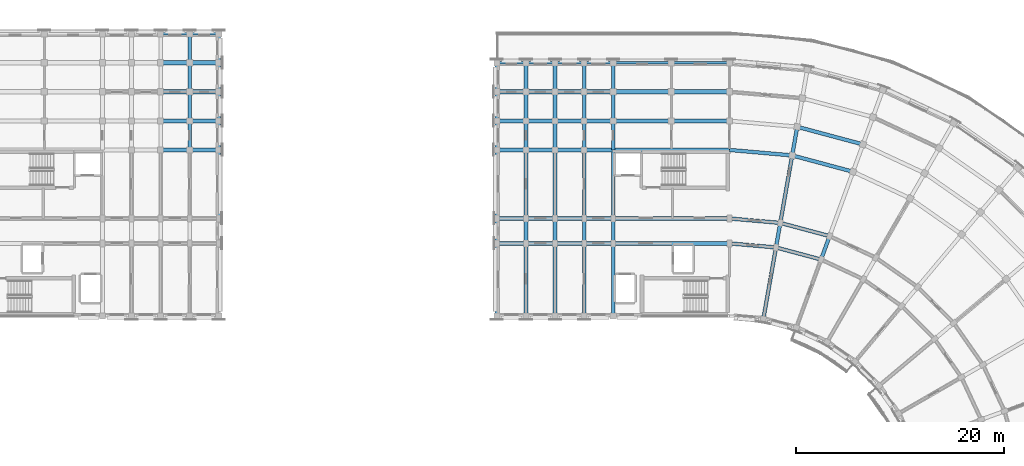
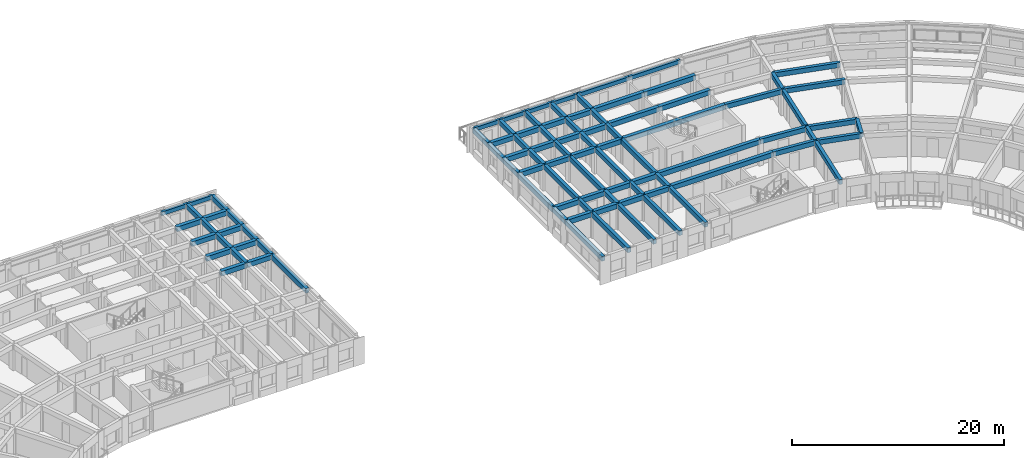
# One storey, part 8 of 53: 94 beams.
"""IFC4 building model written with IfcOpenShell, lengths in metres."""

from ifc_helpers import new_model, si_unit, direction, frame, origin, origin_2d, place, context, subcontext, project, spatial, rectangle, extrude, material, material_profile, profile_set, type_object, element, save


model = new_model("IFC4")

# Units and contexts
model_context = context("Model", 3, precision=1e-05, world=origin(), true_north=direction((0.0, 1.0)))
body_context = subcontext(model_context, "Body", "Model", "MODEL_VIEW")
ifc_project = project(units=[si_unit("LENGTHUNIT", "METRE"), si_unit("AREAUNIT", "SQUARE_METRE"), si_unit("VOLUMEUNIT", "CUBIC_METRE"), si_unit("PLANEANGLEUNIT", "RADIAN"), si_unit("MASSUNIT", "GRAM", prefix="KILO")], contexts=[model_context])

# Site, building, storey
site_placement = place(None, origin())
site = spatial("IfcSite", under=ifc_project, at=site_placement, CompositionType="ELEMENT")
building_placement = place(site_placement, origin())
building = spatial("IfcBuilding", under=site, at=building_placement, Name="Kiranvali Square Residences", CompositionType="ELEMENT")
storey_placement = place(building_placement, frame((0.0, 0.0, 30.75)))
storey = spatial("IfcBuildingStorey", under=building, at=storey_placement, Name="L09", CompositionType="ELEMENT", Elevation=30.75)

# Beams
ifc_material_1 = material(Name="Concrete M40 (40 MPa)", Category="concrete")
ifc_material_profile_1 = material_profile(ifc_material_1, rectangle(XDim=0.35009765625, YDim=0.550048828125, at=origin_2d()), Name="RC 350x550")
ifc_profile_set_1 = profile_set([ifc_material_profile_1], Name="Concrete M40 (40 MPa)")
beam_type_1 = type_object("IfcBeamType", Name="BM-M40-350x550", PredefinedType="BEAM", material=ifc_profile_set_1)
beam_1_placement = place(storey_placement, frame((67.800048828125, 122.60009765625, 2.655029296875), z_axis=(0.0, 1.0, 0.0), x_axis=(-1.0, 0.0, 0.0)))
element("IfcBeam", 1, at=beam_1_placement, inside=storey, type_object=beam_type_1, Name="L09 beam BM-A-L09-A1T4-34", PredefinedType="BEAM", context=body_context, shape_type="SweptSolid", body=[
    extrude(rectangle(XDim=0.35009765625, YDim=0.550048828125, at=origin_2d()), origin(), (0.0, 0.0, 1.0), 2.7998046875),
])
for number, where, z_axis, x_axis, name in (
    (2, (67.800048828125, 125.39990234375, 2.655029296875), (0.0, 1.0, 0.0), (-1.0, 0.0, 0.0), "L09 beam BM-A-L09-A1T4-45"),
    (3, (67.800048828125, 128.199951171875, 2.655029296875), (0.0, 1.0, 0.0), (-1.0, 0.0, 0.0), "L09 beam BM-A-L09-A1T4-56"),
    (4, (67.800048828125, 131.0, 2.655029296875), (0.0, 1.0, 0.0), (-1.0, 0.0, 0.0), "L09 beam BM-A-L09-A1T4-67"),
):
    element("IfcBeam", number, at=place(storey_placement, frame(where, z_axis=z_axis, x_axis=x_axis)), inside=storey, type_object=beam_type_1, Name=name, PredefinedType="BEAM", context=body_context, shape_type="SweptSolid", body=[
        extrude(rectangle(XDim=0.35009765625, YDim=0.550048828125, at=origin_2d()), origin(), (0.0, 0.0, 1.0), 2.800048828125),
    ])
beam_2_placement = place(storey_placement, frame((70.60009765625, 116.0, 2.655029296875), z_axis=(0.0, 1.0, 0.0), x_axis=(-1.0, 0.0, 0.0)))
element("IfcBeam", 5, at=beam_2_placement, inside=storey, type_object=beam_type_1, Name="L09 beam BM-A-L09-A1T5-23", PredefinedType="BEAM", context=body_context, shape_type="SweptSolid", body=[
    extrude(rectangle(XDim=0.35009765625, YDim=0.550048828125, at=origin_2d()), origin(), (0.0, 0.0, 1.0), 6.60009765625),
])
beam_3_placement = place(storey_placement, frame((70.60009765625, 122.60009765625, 2.655029296875), z_axis=(0.0, 1.0, 0.0), x_axis=(-1.0, 0.0, 0.0)))
element("IfcBeam", 6, at=beam_3_placement, inside=storey, type_object=beam_type_1, Name="L09 beam BM-A-L09-A1T5-34", PredefinedType="BEAM", context=body_context, shape_type="SweptSolid", body=[
    extrude(rectangle(XDim=0.35009765625, YDim=0.550048828125, at=origin_2d()), origin(), (0.0, 0.0, 1.0), 2.7998046875),
])
for number, where, z_axis, x_axis, name in (
    (7, (70.60009765625, 125.39990234375, 2.655029296875), (0.0, 1.0, 0.0), (-1.0, 0.0, 0.0), "L09 beam BM-A-L09-A1T5-45"),
    (8, (70.60009765625, 128.199951171875, 2.655029296875), (0.0, 1.0, 0.0), (-1.0, 0.0, 0.0), "L09 beam BM-A-L09-A1T5-56"),
    (9, (70.60009765625, 131.0, 2.655029296875), (0.0, 1.0, 0.0), (-1.0, 0.0, 0.0), "L09 beam BM-A-L09-A1T5-67"),
):
    element("IfcBeam", number, at=place(storey_placement, frame(where, z_axis=z_axis, x_axis=x_axis)), inside=storey, type_object=beam_type_1, Name=name, PredefinedType="BEAM", context=body_context, shape_type="SweptSolid", body=[
        extrude(rectangle(XDim=0.35009765625, YDim=0.550048828125, at=origin_2d()), origin(), (0.0, 0.0, 1.0), 2.800048828125),
    ])
beam_4_placement = place(storey_placement, frame((119.800048828125, 113.60009765625, 2.655029296875), z_axis=(0.996191949488, -0.087187153726, 0.0), x_axis=(0.087187153726, 0.996191949488, 0.0)))
element("IfcBeam", 10, at=beam_4_placement, inside=storey, type_object=beam_type_1, Name="L09 beam BM-B-L09-C00-R1", PredefinedType="BEAM", context=body_context, shape_type="SweptSolid", body=[
    extrude(rectangle(XDim=0.35009765625, YDim=0.550048828125, at=origin_2d()), origin(), (0.0, 0.0, 1.0), 4.4970703125),
])
beam_5_placement = place(storey_placement, frame((119.800048828125, 116.0, 2.655029296875), z_axis=(0.996193663584, -0.087167566415, 0.0), x_axis=(0.087167566415, 0.996193663584, 0.0)))
element("IfcBeam", 11, at=beam_5_placement, inside=storey, type_object=beam_type_1, Name="L09 beam BM-B-L09-C00-R2", PredefinedType="BEAM", context=body_context, shape_type="SweptSolid", body=[
    extrude(rectangle(XDim=0.35009765625, YDim=0.550048828125, at=origin_2d()), origin(), (0.0, 0.0, 1.0), 4.91552734375),
])
beam_6_placement = place(storey_placement, frame((119.800048828125, 122.60009765625, 2.655029296875), z_axis=(0.996193018494, -0.087174938512, 0.0), x_axis=(0.087174938512, 0.996193018494, 0.0)))
element("IfcBeam", 12, at=beam_6_placement, inside=storey, type_object=beam_type_1, Name="L09 beam BM-B-L09-C00-R3", PredefinedType="BEAM", context=body_context, shape_type="SweptSolid", body=[
    extrude(rectangle(XDim=0.35009765625, YDim=0.550048828125, at=origin_2d()), origin(), (0.0, 0.0, 1.0), 6.066162109375),
])
beam_7_placement = place(storey_placement, frame((124.280029296875, 113.2080078125, 2.655029296875), z_axis=(0.965934240054, -0.258787642463, 0.0), x_axis=(0.258787642463, 0.965934240054, 0.0)))
element("IfcBeam", 13, at=beam_7_placement, inside=storey, type_object=beam_type_1, Name="L09 beam BM-B-L09-C01-R1", PredefinedType="BEAM", context=body_context, shape_type="SweptSolid", body=[
    extrude(rectangle(XDim=0.35009765625, YDim=0.550048828125, at=origin_2d()), origin(), (0.0, 0.0, 1.0), 4.497314453125),
])
beam_8_placement = place(storey_placement, frame((124.69677734375, 115.571533203125, 2.655029296875), z_axis=(0.965930095386, -0.258803112091, 0.0), x_axis=(0.258803112091, 0.965930095386, 0.0)))
element("IfcBeam", 14, at=beam_8_placement, inside=storey, type_object=beam_type_1, Name="L09 beam BM-B-L09-C01-R2", PredefinedType="BEAM", context=body_context, shape_type="SweptSolid", body=[
    extrude(rectangle(XDim=0.35009765625, YDim=0.550048828125, at=origin_2d()), origin(), (0.0, 0.0, 1.0), 4.915771484375),
])
beam_9_placement = place(storey_placement, frame((125.843017578125, 122.0712890625, 2.655029296875), z_axis=(0.965923618901, -0.258827283048, 0.0), x_axis=(0.258827283048, 0.965923618901, 0.0)))
element("IfcBeam", 15, at=beam_9_placement, inside=storey, type_object=beam_type_1, Name="L09 beam BM-B-L09-C01-R3", PredefinedType="BEAM", context=body_context, shape_type="SweptSolid", body=[
    extrude(rectangle(XDim=0.35009765625, YDim=0.550048828125, at=origin_2d()), origin(), (0.0, 0.0, 1.0), 6.066162109375),
])
beam_10_placement = place(storey_placement, frame((126.3291015625, 124.828857421875, 2.655029296875), z_axis=(0.965918287583, -0.258847178297, 0.0), x_axis=(0.258847178297, 0.965918287583, 0.0)))
element("IfcBeam", 16, at=beam_10_placement, inside=storey, type_object=beam_type_1, Name="L09 beam BM-B-L09-C01-R4", PredefinedType="BEAM", context=body_context, shape_type="SweptSolid", body=[
    extrude(rectangle(XDim=0.35009765625, YDim=0.550048828125, at=origin_2d()), origin(), (0.0, 0.0, 1.0), 6.55419921875),
])
beam_11_placement = place(storey_placement, frame((123.064697265625, 106.314453125, 2.655029296875), z_axis=(0.173622177865, 0.984812337125, 0.0), x_axis=(-0.984812337125, 0.173622177865, 0.0)))
element("IfcBeam", 17, at=beam_11_placement, inside=storey, type_object=beam_type_1, Name="L09 beam BM-B-L09-RAD01-01", PredefinedType="BEAM", context=body_context, shape_type="SweptSolid", body=[
    extrude(rectangle(XDim=0.35009765625, YDim=0.550048828125, at=origin_2d()), origin(), (0.0, 0.0, 1.0), 6.999755859375),
])
beam_12_placement = place(storey_placement, frame((124.280029296875, 113.2080078125, 2.655029296875), z_axis=(0.173646056486, 0.984808127031, 0.0), x_axis=(-0.984808127031, 0.173646056486, 0.0)))
element("IfcBeam", 18, at=beam_12_placement, inside=storey, type_object=beam_type_1, Name="L09 beam BM-B-L09-RAD01-12", PredefinedType="BEAM", context=body_context, shape_type="SweptSolid", body=[
    extrude(rectangle(XDim=0.35009765625, YDim=0.550048828125, at=origin_2d()), origin(), (0.0, 0.0, 1.0), 2.39990234375),
])
beam_13_placement = place(storey_placement, frame((124.69677734375, 115.571533203125, 2.655029296875), z_axis=(0.173671381499, 0.984803661269, 0.0), x_axis=(-0.984803661269, 0.173671381499, 0.0)))
element("IfcBeam", 19, at=beam_13_placement, inside=storey, type_object=beam_type_1, Name="L09 beam BM-B-L09-RAD01-23", PredefinedType="BEAM", context=body_context, shape_type="SweptSolid", body=[
    extrude(rectangle(XDim=0.35009765625, YDim=0.550048828125, at=origin_2d()), origin(), (0.0, 0.0, 1.0), 6.60009765625),
])
beam_14_placement = place(storey_placement, frame((125.843017578125, 122.0712890625, 2.655029296875), z_axis=(0.173596320392, 0.984816895441, 0.0), x_axis=(-0.984816895441, 0.173596320392, 0.0)))
element("IfcBeam", 20, at=beam_14_placement, inside=storey, type_object=beam_type_1, Name="L09 beam BM-B-L09-RAD01-34", PredefinedType="BEAM", context=body_context, shape_type="SweptSolid", body=[
    extrude(rectangle(XDim=0.35009765625, YDim=0.550048828125, at=origin_2d()), origin(), (0.0, 0.0, 1.0), 2.800048828125),
])
beam_15_placement = place(storey_placement, frame((128.6240234375, 112.044189453125, 2.655029296875), z_axis=(0.342110593602, 0.939659694648, 0.0), x_axis=(-0.939659694648, 0.342110593602, 0.0)))
element("IfcBeam", 21, at=beam_15_placement, inside=storey, type_object=beam_type_1, Name="L09 beam BM-B-L09-RAD02-12", PredefinedType="BEAM", context=body_context, shape_type="SweptSolid", body=[
    extrude(rectangle(XDim=0.35009765625, YDim=0.550048828125, at=origin_2d()), origin(), (0.0, 0.0, 1.0), 2.39990234375),
])
beam_16_placement = place(storey_placement, frame((108.60009765625, 106.60009765625, 2.655029296875), z_axis=(0.0, 1.0, 0.0), x_axis=(-1.0, 0.0, 0.0)))
element("IfcBeam", 22, at=beam_16_placement, inside=storey, type_object=beam_type_1, Name="L09 beam BM-B-L09-A1T1-01", PredefinedType="BEAM", context=body_context, shape_type="SweptSolid", body=[
    extrude(rectangle(XDim=0.35009765625, YDim=0.550048828125, at=origin_2d()), origin(), (0.0, 0.0, 1.0), 7.0),
])
beam_17_placement = place(storey_placement, frame((108.60009765625, 113.60009765625, 2.655029296875), z_axis=(0.0, 1.0, 0.0), x_axis=(-1.0, 0.0, 0.0)))
element("IfcBeam", 23, at=beam_17_placement, inside=storey, type_object=beam_type_1, Name="L09 beam BM-B-L09-A1T1-12", PredefinedType="BEAM", context=body_context, shape_type="SweptSolid", body=[
    extrude(rectangle(XDim=0.35009765625, YDim=0.550048828125, at=origin_2d()), origin(), (0.0, 0.0, 1.0), 2.39990234375),
])
beam_18_placement = place(storey_placement, frame((108.60009765625, 116.0, 2.655029296875), z_axis=(0.0, 1.0, 0.0), x_axis=(-1.0, 0.0, 0.0)))
element("IfcBeam", 24, at=beam_18_placement, inside=storey, type_object=beam_type_1, Name="L09 beam BM-B-L09-A1T1-23", PredefinedType="BEAM", context=body_context, shape_type="SweptSolid", body=[
    extrude(rectangle(XDim=0.35009765625, YDim=0.550048828125, at=origin_2d()), origin(), (0.0, 0.0, 1.0), 6.60009765625),
])
beam_19_placement = place(storey_placement, frame((108.60009765625, 122.60009765625, 2.655029296875), z_axis=(0.0, 1.0, 0.0), x_axis=(-1.0, 0.0, 0.0)))
element("IfcBeam", 25, at=beam_19_placement, inside=storey, type_object=beam_type_1, Name="L09 beam BM-B-L09-A1T1-34", PredefinedType="BEAM", context=body_context, shape_type="SweptSolid", body=[
    extrude(rectangle(XDim=0.35009765625, YDim=0.550048828125, at=origin_2d()), origin(), (0.0, 0.0, 1.0), 2.7998046875),
])
for number, where, z_axis, x_axis, name in (
    (26, (108.60009765625, 125.39990234375, 2.655029296875), (0.0, 1.0, 0.0), (-1.0, 0.0, 0.0), "L09 beam BM-B-L09-A1T1-45"),
    (27, (108.60009765625, 128.199951171875, 2.695068359375), (0.0, 1.0, 0.0), (-1.0, 0.0, 0.0), "L09 beam BM-B-L09-A1T1-56"),
):
    element("IfcBeam", number, at=place(storey_placement, frame(where, z_axis=z_axis, x_axis=x_axis)), inside=storey, type_object=beam_type_1, Name=name, PredefinedType="BEAM", context=body_context, shape_type="SweptSolid", body=[
        extrude(rectangle(XDim=0.35009765625, YDim=0.550048828125, at=origin_2d()), origin(), (0.0, 0.0, 1.0), 2.800048828125),
    ])
beam_20_placement = place(storey_placement, frame((105.800048828125, 106.60009765625, 2.655029296875), z_axis=(0.0, 1.0, 0.0), x_axis=(-1.0, 0.0, 0.0)))
element("IfcBeam", 28, at=beam_20_placement, inside=storey, type_object=beam_type_1, Name="L09 beam BM-B-L09-A1T2-01", PredefinedType="BEAM", context=body_context, shape_type="SweptSolid", body=[
    extrude(rectangle(XDim=0.35009765625, YDim=0.550048828125, at=origin_2d()), origin(), (0.0, 0.0, 1.0), 7.0),
])
beam_21_placement = place(storey_placement, frame((105.800048828125, 113.60009765625, 2.655029296875), z_axis=(0.0, 1.0, 0.0), x_axis=(-1.0, 0.0, 0.0)))
element("IfcBeam", 29, at=beam_21_placement, inside=storey, type_object=beam_type_1, Name="L09 beam BM-B-L09-A1T2-12", PredefinedType="BEAM", context=body_context, shape_type="SweptSolid", body=[
    extrude(rectangle(XDim=0.35009765625, YDim=0.550048828125, at=origin_2d()), origin(), (0.0, 0.0, 1.0), 2.39990234375),
])
beam_22_placement = place(storey_placement, frame((105.800048828125, 116.0, 2.655029296875), z_axis=(0.0, 1.0, 0.0), x_axis=(-1.0, 0.0, 0.0)))
element("IfcBeam", 30, at=beam_22_placement, inside=storey, type_object=beam_type_1, Name="L09 beam BM-B-L09-A1T2-23", PredefinedType="BEAM", context=body_context, shape_type="SweptSolid", body=[
    extrude(rectangle(XDim=0.35009765625, YDim=0.550048828125, at=origin_2d()), origin(), (0.0, 0.0, 1.0), 6.60009765625),
])
beam_23_placement = place(storey_placement, frame((105.800048828125, 122.60009765625, 2.655029296875), z_axis=(0.0, 1.0, 0.0), x_axis=(-1.0, 0.0, 0.0)))
element("IfcBeam", 31, at=beam_23_placement, inside=storey, type_object=beam_type_1, Name="L09 beam BM-B-L09-A1T2-34", PredefinedType="BEAM", context=body_context, shape_type="SweptSolid", body=[
    extrude(rectangle(XDim=0.35009765625, YDim=0.550048828125, at=origin_2d()), origin(), (0.0, 0.0, 1.0), 2.7998046875),
])
for number, where, z_axis, x_axis, name in (
    (32, (105.800048828125, 125.39990234375, 2.655029296875), (0.0, 1.0, 0.0), (-1.0, 0.0, 0.0), "L09 beam BM-B-L09-A1T2-45"),
    (33, (105.800048828125, 128.199951171875, 2.695068359375), (0.0, 1.0, 0.0), (-1.0, 0.0, 0.0), "L09 beam BM-B-L09-A1T2-56"),
):
    element("IfcBeam", number, at=place(storey_placement, frame(where, z_axis=z_axis, x_axis=x_axis)), inside=storey, type_object=beam_type_1, Name=name, PredefinedType="BEAM", context=body_context, shape_type="SweptSolid", body=[
        extrude(rectangle(XDim=0.35009765625, YDim=0.550048828125, at=origin_2d()), origin(), (0.0, 0.0, 1.0), 2.800048828125),
    ])
beam_24_placement = place(storey_placement, frame((103.0, 106.60009765625, 2.655029296875), z_axis=(0.0, 1.0, 0.0), x_axis=(-1.0, 0.0, 0.0)))
element("IfcBeam", 34, at=beam_24_placement, inside=storey, type_object=beam_type_1, Name="L09 beam BM-B-L09-A1T3-01", PredefinedType="BEAM", context=body_context, shape_type="SweptSolid", body=[
    extrude(rectangle(XDim=0.35009765625, YDim=0.550048828125, at=origin_2d()), origin(), (0.0, 0.0, 1.0), 7.0),
])
beam_25_placement = place(storey_placement, frame((103.0, 113.60009765625, 2.655029296875), z_axis=(0.0, 1.0, 0.0), x_axis=(-1.0, 0.0, 0.0)))
element("IfcBeam", 35, at=beam_25_placement, inside=storey, type_object=beam_type_1, Name="L09 beam BM-B-L09-A1T3-12", PredefinedType="BEAM", context=body_context, shape_type="SweptSolid", body=[
    extrude(rectangle(XDim=0.35009765625, YDim=0.550048828125, at=origin_2d()), origin(), (0.0, 0.0, 1.0), 2.39990234375),
])
beam_26_placement = place(storey_placement, frame((103.0, 116.0, 2.655029296875), z_axis=(0.0, 1.0, 0.0), x_axis=(-1.0, 0.0, 0.0)))
element("IfcBeam", 36, at=beam_26_placement, inside=storey, type_object=beam_type_1, Name="L09 beam BM-B-L09-A1T3-23", PredefinedType="BEAM", context=body_context, shape_type="SweptSolid", body=[
    extrude(rectangle(XDim=0.35009765625, YDim=0.550048828125, at=origin_2d()), origin(), (0.0, 0.0, 1.0), 6.60009765625),
])
beam_27_placement = place(storey_placement, frame((103.0, 122.60009765625, 2.655029296875), z_axis=(0.0, 1.0, 0.0), x_axis=(-1.0, 0.0, 0.0)))
element("IfcBeam", 37, at=beam_27_placement, inside=storey, type_object=beam_type_1, Name="L09 beam BM-B-L09-A1T3-34", PredefinedType="BEAM", context=body_context, shape_type="SweptSolid", body=[
    extrude(rectangle(XDim=0.35009765625, YDim=0.550048828125, at=origin_2d()), origin(), (0.0, 0.0, 1.0), 2.7998046875),
])
for number, where, z_axis, x_axis, name in (
    (38, (103.0, 125.39990234375, 2.655029296875), (0.0, 1.0, 0.0), (-1.0, 0.0, 0.0), "L09 beam BM-B-L09-A1T3-45"),
    (39, (103.0, 128.199951171875, 2.695068359375), (0.0, 1.0, 0.0), (-1.0, 0.0, 0.0), "L09 beam BM-B-L09-A1T3-56"),
):
    element("IfcBeam", number, at=place(storey_placement, frame(where, z_axis=z_axis, x_axis=x_axis)), inside=storey, type_object=beam_type_1, Name=name, PredefinedType="BEAM", context=body_context, shape_type="SweptSolid", body=[
        extrude(rectangle(XDim=0.35009765625, YDim=0.550048828125, at=origin_2d()), origin(), (0.0, 0.0, 1.0), 2.800048828125),
    ])
beam_28_placement = place(storey_placement, frame((100.199951171875, 106.60009765625, 2.655029296875), z_axis=(0.0, 1.0, 0.0), x_axis=(-1.0, 0.0, 0.0)))
element("IfcBeam", 40, at=beam_28_placement, inside=storey, type_object=beam_type_1, Name="L09 beam BM-B-L09-A1T4-01", PredefinedType="BEAM", context=body_context, shape_type="SweptSolid", body=[
    extrude(rectangle(XDim=0.35009765625, YDim=0.550048828125, at=origin_2d()), origin(), (0.0, 0.0, 1.0), 7.0),
])
beam_29_placement = place(storey_placement, frame((100.199951171875, 113.60009765625, 2.655029296875), z_axis=(0.0, 1.0, 0.0), x_axis=(-1.0, 0.0, 0.0)))
element("IfcBeam", 41, at=beam_29_placement, inside=storey, type_object=beam_type_1, Name="L09 beam BM-B-L09-A1T4-12", PredefinedType="BEAM", context=body_context, shape_type="SweptSolid", body=[
    extrude(rectangle(XDim=0.35009765625, YDim=0.550048828125, at=origin_2d()), origin(), (0.0, 0.0, 1.0), 2.39990234375),
])
beam_30_placement = place(storey_placement, frame((100.199951171875, 116.0, 2.655029296875), z_axis=(0.0, 1.0, 0.0), x_axis=(-1.0, 0.0, 0.0)))
element("IfcBeam", 42, at=beam_30_placement, inside=storey, type_object=beam_type_1, Name="L09 beam BM-B-L09-A1T4-23", PredefinedType="BEAM", context=body_context, shape_type="SweptSolid", body=[
    extrude(rectangle(XDim=0.35009765625, YDim=0.550048828125, at=origin_2d()), origin(), (0.0, 0.0, 1.0), 6.60009765625),
])
beam_31_placement = place(storey_placement, frame((100.199951171875, 122.60009765625, 2.655029296875), z_axis=(0.0, 1.0, 0.0), x_axis=(-1.0, 0.0, 0.0)))
element("IfcBeam", 43, at=beam_31_placement, inside=storey, type_object=beam_type_1, Name="L09 beam BM-B-L09-A1T4-34", PredefinedType="BEAM", context=body_context, shape_type="SweptSolid", body=[
    extrude(rectangle(XDim=0.35009765625, YDim=0.550048828125, at=origin_2d()), origin(), (0.0, 0.0, 1.0), 2.7998046875),
])
for number, where, z_axis, x_axis, name in (
    (44, (100.199951171875, 125.39990234375, 2.655029296875), (0.0, 1.0, 0.0), (-1.0, 0.0, 0.0), "L09 beam BM-B-L09-A1T4-45"),
    (45, (100.199951171875, 128.199951171875, 2.695068359375), (0.0, 1.0, 0.0), (-1.0, 0.0, 0.0), "L09 beam BM-B-L09-A1T4-56"),
):
    element("IfcBeam", number, at=place(storey_placement, frame(where, z_axis=z_axis, x_axis=x_axis)), inside=storey, type_object=beam_type_1, Name=name, PredefinedType="BEAM", context=body_context, shape_type="SweptSolid", body=[
        extrude(rectangle(XDim=0.35009765625, YDim=0.550048828125, at=origin_2d()), origin(), (0.0, 0.0, 1.0), 2.800048828125),
    ])
beam_32_placement = place(storey_placement, frame((97.39990234375, 106.60009765625, 2.655029296875), z_axis=(0.0, 1.0, 0.0), x_axis=(-1.0, 0.0, 0.0)))
element("IfcBeam", 46, at=beam_32_placement, inside=storey, type_object=beam_type_1, Name="L09 beam BM-B-L09-A1T5-01", PredefinedType="BEAM", context=body_context, shape_type="SweptSolid", body=[
    extrude(rectangle(XDim=0.35009765625, YDim=0.550048828125, at=origin_2d()), origin(), (0.0, 0.0, 1.0), 7.0),
])
beam_33_placement = place(storey_placement, frame((97.39990234375, 113.60009765625, 2.655029296875), z_axis=(0.0, 1.0, 0.0), x_axis=(-1.0, 0.0, 0.0)))
element("IfcBeam", 47, at=beam_33_placement, inside=storey, type_object=beam_type_1, Name="L09 beam BM-B-L09-A1T5-12", PredefinedType="BEAM", context=body_context, shape_type="SweptSolid", body=[
    extrude(rectangle(XDim=0.35009765625, YDim=0.550048828125, at=origin_2d()), origin(), (0.0, 0.0, 1.0), 2.39990234375),
])
beam_34_placement = place(storey_placement, frame((97.39990234375, 116.0, 2.655029296875), z_axis=(0.0, 1.0, 0.0), x_axis=(-1.0, 0.0, 0.0)))
element("IfcBeam", 48, at=beam_34_placement, inside=storey, type_object=beam_type_1, Name="L09 beam BM-B-L09-A1T5-23", PredefinedType="BEAM", context=body_context, shape_type="SweptSolid", body=[
    extrude(rectangle(XDim=0.35009765625, YDim=0.550048828125, at=origin_2d()), origin(), (0.0, 0.0, 1.0), 6.60009765625),
])
beam_35_placement = place(storey_placement, frame((97.39990234375, 122.60009765625, 2.655029296875), z_axis=(0.0, 1.0, 0.0), x_axis=(-1.0, 0.0, 0.0)))
element("IfcBeam", 49, at=beam_35_placement, inside=storey, type_object=beam_type_1, Name="L09 beam BM-B-L09-A1T5-34", PredefinedType="BEAM", context=body_context, shape_type="SweptSolid", body=[
    extrude(rectangle(XDim=0.35009765625, YDim=0.550048828125, at=origin_2d()), origin(), (0.0, 0.0, 1.0), 2.7998046875),
])
for number, where, z_axis, x_axis, name in (
    (50, (97.39990234375, 125.39990234375, 2.655029296875), (0.0, 1.0, 0.0), (-1.0, 0.0, 0.0), "L09 beam BM-B-L09-A1T5-45"),
    (51, (97.39990234375, 128.199951171875, 2.695068359375), (0.0, 1.0, 0.0), (-1.0, 0.0, 0.0), "L09 beam BM-B-L09-A1T5-56"),
):
    element("IfcBeam", number, at=place(storey_placement, frame(where, z_axis=z_axis, x_axis=x_axis)), inside=storey, type_object=beam_type_1, Name=name, PredefinedType="BEAM", context=body_context, shape_type="SweptSolid", body=[
        extrude(rectangle(XDim=0.35009765625, YDim=0.550048828125, at=origin_2d()), origin(), (0.0, 0.0, 1.0), 2.800048828125),
    ])
ifc_material_2 = material(Name="Concrete M45 (45 MPa)", Category="concrete")
ifc_material_profile_2 = material_profile(ifc_material_2, rectangle(XDim=0.39990234375, YDim=0.550048828125, at=origin_2d()), Name="RC 400x550")
ifc_profile_set_2 = profile_set([ifc_material_profile_2], Name="Concrete M45 (45 MPa)")
beam_type_2 = type_object("IfcBeamType", Name="BM-M45-400x550", PredefinedType="BEAM", material=ifc_profile_set_2)
for number, where, z_axis, x_axis, name in (
    (52, (65.0, 122.60009765625, 2.655029296875), (1.0, 0.0, 0.0), (0.0, 1.0, 0.0), "L09 beam BM-A-L09-A1U3-R3"),
    (53, (67.800048828125, 122.60009765625, 2.655029296875), (1.0, 0.0, 0.0), (0.0, 1.0, 0.0), "L09 beam BM-A-L09-A1U4-R3"),
    (54, (65.0, 125.39990234375, 2.655029296875), (1.0, 0.0, 0.0), (0.0, 1.0, 0.0), "L09 beam BM-A-L09-A1U4-R4"),
    (55, (67.800048828125, 125.39990234375, 2.655029296875), (1.0, 0.0, 0.0), (0.0, 1.0, 0.0), "L09 beam BM-A-L09-A1U5-R4"),
    (56, (65.0, 128.199951171875, 2.655029296875), (1.0, 0.0, 0.0), (0.0, 1.0, 0.0), "L09 beam BM-A-L09-A1U4-R5"),
    (57, (67.800048828125, 128.199951171875, 2.655029296875), (1.0, 0.0, 0.0), (0.0, 1.0, 0.0), "L09 beam BM-A-L09-A1U5-R5"),
    (58, (65.0, 131.0, 2.655029296875), (1.0, 0.0, 0.0), (0.0, 1.0, 0.0), "L09 beam BM-A-L09-A1U4-R6"),
    (59, (67.800048828125, 131.0, 2.655029296875), (1.0, 0.0, 0.0), (0.0, 1.0, 0.0), "L09 beam BM-A-L09-A1U5-R6"),
):
    element("IfcBeam", number, at=place(storey_placement, frame(where, z_axis=z_axis, x_axis=x_axis)), inside=storey, type_object=beam_type_2, Name=name, PredefinedType="BEAM", context=body_context, shape_type="SweptSolid", body=[
        extrude(rectangle(XDim=0.39990234375, YDim=0.550048828125, at=origin_2d()), origin(), (0.0, 0.0, 1.0), 2.800048828125),
    ])
beam_36_placement = place(storey_placement, frame((119.800048828125, 113.60009765625, 2.655029296875), z_axis=(-1.0, 0.0, 0.0), x_axis=(0.0, -1.0, 0.0)))
element("IfcBeam", 60, at=beam_36_placement, inside=storey, type_object=beam_type_2, Name="L09 beam BM-B-L09-A1U0-R1", PredefinedType="BEAM", context=body_context, shape_type="SweptSolid", body=[
    extrude(rectangle(XDim=0.39990234375, YDim=0.550048828125, at=origin_2d()), origin(), (0.0, 0.0, 1.0), 11.199951171875),
])
for number, where, z_axis, x_axis, name in (
    (61, (108.60009765625, 113.60009765625, 2.655029296875), (-1.0, 0.0, 0.0), (0.0, -1.0, 0.0), "L09 beam BM-B-L09-A1U1-R1"),
    (62, (105.800048828125, 113.60009765625, 2.655029296875), (-1.0, 0.0, 0.0), (0.0, -1.0, 0.0), "L09 beam BM-B-L09-A1U2-R1"),
    (63, (103.0, 113.60009765625, 2.655029296875), (-1.0, 0.0, 0.0), (0.0, -1.0, 0.0), "L09 beam BM-B-L09-A1U3-R1"),
    (64, (100.199951171875, 113.60009765625, 2.655029296875), (-1.0, 0.0, 0.0), (0.0, -1.0, 0.0), "L09 beam BM-B-L09-A1U4-R1"),
):
    element("IfcBeam", number, at=place(storey_placement, frame(where, z_axis=z_axis, x_axis=x_axis)), inside=storey, type_object=beam_type_2, Name=name, PredefinedType="BEAM", context=body_context, shape_type="SweptSolid", body=[
        extrude(rectangle(XDim=0.39990234375, YDim=0.550048828125, at=origin_2d()), origin(), (0.0, 0.0, 1.0), 2.800048828125),
    ])
beam_37_placement = place(storey_placement, frame((119.800048828125, 116.0, 2.655029296875), z_axis=(-1.0, 0.0, 0.0), x_axis=(0.0, -1.0, 0.0)))
element("IfcBeam", 65, at=beam_37_placement, inside=storey, type_object=beam_type_2, Name="L09 beam BM-B-L09-A1U0-R2", PredefinedType="BEAM", context=body_context, shape_type="SweptSolid", body=[
    extrude(rectangle(XDim=0.39990234375, YDim=0.550048828125, at=origin_2d()), origin(), (0.0, 0.0, 1.0), 11.199951171875),
])
for number, where, z_axis, x_axis, name in (
    (66, (108.60009765625, 116.0, 2.655029296875), (-1.0, 0.0, 0.0), (0.0, -1.0, 0.0), "L09 beam BM-B-L09-A1U1-R2"),
    (67, (105.800048828125, 116.0, 2.655029296875), (-1.0, 0.0, 0.0), (0.0, -1.0, 0.0), "L09 beam BM-B-L09-A1U2-R2"),
    (68, (103.0, 116.0, 2.655029296875), (-1.0, 0.0, 0.0), (0.0, -1.0, 0.0), "L09 beam BM-B-L09-A1U3-R2"),
    (69, (100.199951171875, 116.0, 2.655029296875), (-1.0, 0.0, 0.0), (0.0, -1.0, 0.0), "L09 beam BM-B-L09-A1U4-R2"),
):
    element("IfcBeam", number, at=place(storey_placement, frame(where, z_axis=z_axis, x_axis=x_axis)), inside=storey, type_object=beam_type_2, Name=name, PredefinedType="BEAM", context=body_context, shape_type="SweptSolid", body=[
        extrude(rectangle(XDim=0.39990234375, YDim=0.550048828125, at=origin_2d()), origin(), (0.0, 0.0, 1.0), 2.800048828125),
    ])
beam_38_placement = place(storey_placement, frame((119.800048828125, 122.60009765625, 2.655029296875), z_axis=(-1.0, 0.0, 0.0), x_axis=(0.0, -1.0, 0.0)))
element("IfcBeam", 70, at=beam_38_placement, inside=storey, type_object=beam_type_2, Name="L09 beam BM-B-L09-A1U0-R3", PredefinedType="BEAM", context=body_context, shape_type="SweptSolid", body=[
    extrude(rectangle(XDim=0.39990234375, YDim=0.550048828125, at=origin_2d()), origin(), (0.0, 0.0, 1.0), 11.199951171875),
])
for number, where, z_axis, x_axis, name in (
    (71, (108.60009765625, 122.60009765625, 2.655029296875), (-1.0, 0.0, 0.0), (0.0, -1.0, 0.0), "L09 beam BM-B-L09-A1U1-R3"),
    (72, (105.800048828125, 122.60009765625, 2.655029296875), (-1.0, 0.0, 0.0), (0.0, -1.0, 0.0), "L09 beam BM-B-L09-A1U2-R3"),
    (73, (103.0, 122.60009765625, 2.655029296875), (-1.0, 0.0, 0.0), (0.0, -1.0, 0.0), "L09 beam BM-B-L09-A1U3-R3"),
    (74, (100.199951171875, 122.60009765625, 2.655029296875), (-1.0, 0.0, 0.0), (0.0, -1.0, 0.0), "L09 beam BM-B-L09-A1U4-R3"),
):
    element("IfcBeam", number, at=place(storey_placement, frame(where, z_axis=z_axis, x_axis=x_axis)), inside=storey, type_object=beam_type_2, Name=name, PredefinedType="BEAM", context=body_context, shape_type="SweptSolid", body=[
        extrude(rectangle(XDim=0.39990234375, YDim=0.550048828125, at=origin_2d()), origin(), (0.0, 0.0, 1.0), 2.800048828125),
    ])
beam_39_placement = place(storey_placement, frame((119.800048828125, 125.39990234375, 2.655029296875), z_axis=(-1.0, 0.0, 0.0), x_axis=(0.0, -1.0, 0.0)))
element("IfcBeam", 75, at=beam_39_placement, inside=storey, type_object=beam_type_2, Name="L09 beam BM-B-L09-A1U0-R4", PredefinedType="BEAM", context=body_context, shape_type="SweptSolid", body=[
    extrude(rectangle(XDim=0.39990234375, YDim=0.550048828125, at=origin_2d()), origin(), (0.0, 0.0, 1.0), 5.60009765625),
])
beam_40_placement = place(storey_placement, frame((114.199951171875, 125.39990234375, 2.655029296875), z_axis=(-1.0, 0.0, 0.0), x_axis=(0.0, -1.0, 0.0)))
element("IfcBeam", 76, at=beam_40_placement, inside=storey, type_object=beam_type_2, Name="L09 beam BM-B-L09-A1U1-R4", PredefinedType="BEAM", context=body_context, shape_type="SweptSolid", body=[
    extrude(rectangle(XDim=0.39990234375, YDim=0.550048828125, at=origin_2d()), origin(), (0.0, 0.0, 1.0), 5.599853515625),
])
for number, where, z_axis, x_axis, name in (
    (77, (108.60009765625, 125.39990234375, 2.655029296875), (-1.0, 0.0, 0.0), (0.0, -1.0, 0.0), "L09 beam BM-B-L09-A1U2-R4"),
    (78, (105.800048828125, 125.39990234375, 2.655029296875), (-1.0, 0.0, 0.0), (0.0, -1.0, 0.0), "L09 beam BM-B-L09-A1U3-R4"),
    (79, (103.0, 125.39990234375, 2.655029296875), (-1.0, 0.0, 0.0), (0.0, -1.0, 0.0), "L09 beam BM-B-L09-A1U4-R4"),
    (80, (100.199951171875, 125.39990234375, 2.655029296875), (-1.0, 0.0, 0.0), (0.0, -1.0, 0.0), "L09 beam BM-B-L09-A1U5-R4"),
):
    element("IfcBeam", number, at=place(storey_placement, frame(where, z_axis=z_axis, x_axis=x_axis)), inside=storey, type_object=beam_type_2, Name=name, PredefinedType="BEAM", context=body_context, shape_type="SweptSolid", body=[
        extrude(rectangle(XDim=0.39990234375, YDim=0.550048828125, at=origin_2d()), origin(), (0.0, 0.0, 1.0), 2.800048828125),
    ])
beam_41_placement = place(storey_placement, frame((119.800048828125, 128.199951171875, 2.655029296875), z_axis=(-1.0, 0.0, 0.0), x_axis=(0.0, -1.0, 0.0)))
element("IfcBeam", 81, at=beam_41_placement, inside=storey, type_object=beam_type_2, Name="L09 beam BM-B-L09-A1U0-R5", PredefinedType="BEAM", context=body_context, shape_type="SweptSolid", body=[
    extrude(rectangle(XDim=0.39990234375, YDim=0.550048828125, at=origin_2d()), origin(), (0.0, 0.0, 1.0), 5.60009765625),
])
beam_42_placement = place(storey_placement, frame((114.199951171875, 128.199951171875, 2.655029296875), z_axis=(-1.0, 0.0, 0.0), x_axis=(0.0, -1.0, 0.0)))
element("IfcBeam", 82, at=beam_42_placement, inside=storey, type_object=beam_type_2, Name="L09 beam BM-B-L09-A1U1-R5", PredefinedType="BEAM", context=body_context, shape_type="SweptSolid", body=[
    extrude(rectangle(XDim=0.39990234375, YDim=0.550048828125, at=origin_2d()), origin(), (0.0, 0.0, 1.0), 5.599853515625),
])
for number, where, z_axis, x_axis, name in (
    (83, (108.60009765625, 128.199951171875, 2.655029296875), (-1.0, 0.0, 0.0), (0.0, -1.0, 0.0), "L09 beam BM-B-L09-A1U2-R5"),
    (84, (105.800048828125, 128.199951171875, 2.655029296875), (-1.0, 0.0, 0.0), (0.0, -1.0, 0.0), "L09 beam BM-B-L09-A1U3-R5"),
    (85, (103.0, 128.199951171875, 2.655029296875), (-1.0, 0.0, 0.0), (0.0, -1.0, 0.0), "L09 beam BM-B-L09-A1U4-R5"),
    (86, (100.199951171875, 128.199951171875, 2.655029296875), (-1.0, 0.0, 0.0), (0.0, -1.0, 0.0), "L09 beam BM-B-L09-A1U5-R5"),
):
    element("IfcBeam", number, at=place(storey_placement, frame(where, z_axis=z_axis, x_axis=x_axis)), inside=storey, type_object=beam_type_2, Name=name, PredefinedType="BEAM", context=body_context, shape_type="SweptSolid", body=[
        extrude(rectangle(XDim=0.39990234375, YDim=0.550048828125, at=origin_2d()), origin(), (0.0, 0.0, 1.0), 2.800048828125),
    ])
ifc_material_profile_3 = material_profile(ifc_material_1, rectangle(XDim=0.25, YDim=0.449951171875, at=origin_2d()), Name="RC 250x450")
ifc_profile_set_3 = profile_set([ifc_material_profile_3], Name="Concrete M40 (40 MPa)")
beam_type_3 = type_object("IfcBeamType", Name="SPN-M40-250x450", PredefinedType="SPANDREL", material=ifc_profile_set_3)
for number, where, z_axis, x_axis, name in (
    (87, (65.0, 133.800048828125, 2.705078125), (1.0, 0.0, 0.0), (0.0, 1.0, 0.0), "L09 beam BM-A-L09-A1U4-R7"),
    (88, (67.800048828125, 133.800048828125, 2.705078125), (1.0, 0.0, 0.0), (0.0, 1.0, 0.0), "L09 beam BM-A-L09-A1U5-R7"),
):
    element("IfcBeam", number, at=place(storey_placement, frame(where, z_axis=z_axis, x_axis=x_axis)), inside=storey, type_object=beam_type_3, Name=name, PredefinedType="SPANDREL", context=body_context, shape_type="SweptSolid", body=[
        extrude(rectangle(XDim=0.25, YDim=0.449951171875, at=origin_2d()), origin(), (0.0, 0.0, 1.0), 2.800048828125),
    ])
beam_43_placement = place(storey_placement, frame((119.800048828125, 131.0, 2.7451171875), z_axis=(-1.0, 0.0, 0.0), x_axis=(0.0, -1.0, 0.0)))
element("IfcBeam", 89, at=beam_43_placement, inside=storey, type_object=beam_type_3, Name="L09 beam BM-B-L09-A1U0-R6", PredefinedType="SPANDREL", context=body_context, shape_type="SweptSolid", body=[
    extrude(rectangle(XDim=0.25, YDim=0.449951171875, at=origin_2d()), origin(), (0.0, 0.0, 1.0), 5.60009765625),
])
beam_44_placement = place(storey_placement, frame((114.199951171875, 131.0, 2.7451171875), z_axis=(-1.0, 0.0, 0.0), x_axis=(0.0, -1.0, 0.0)))
element("IfcBeam", 90, at=beam_44_placement, inside=storey, type_object=beam_type_3, Name="L09 beam BM-B-L09-A1U1-R6", PredefinedType="SPANDREL", context=body_context, shape_type="SweptSolid", body=[
    extrude(rectangle(XDim=0.25, YDim=0.449951171875, at=origin_2d()), origin(), (0.0, 0.0, 1.0), 5.599853515625),
])
for number, where, z_axis, x_axis, name in (
    (91, (108.60009765625, 131.0, 2.7451171875), (-1.0, 0.0, 0.0), (0.0, -1.0, 0.0), "L09 beam BM-B-L09-A1U2-R6"),
    (92, (105.800048828125, 131.0, 2.7451171875), (-1.0, 0.0, 0.0), (0.0, -1.0, 0.0), "L09 beam BM-B-L09-A1U3-R6"),
    (93, (103.0, 131.0, 2.7451171875), (-1.0, 0.0, 0.0), (0.0, -1.0, 0.0), "L09 beam BM-B-L09-A1U4-R6"),
    (94, (100.199951171875, 131.0, 2.7451171875), (-1.0, 0.0, 0.0), (0.0, -1.0, 0.0), "L09 beam BM-B-L09-A1U5-R6"),
):
    element("IfcBeam", number, at=place(storey_placement, frame(where, z_axis=z_axis, x_axis=x_axis)), inside=storey, type_object=beam_type_3, Name=name, PredefinedType="SPANDREL", context=body_context, shape_type="SweptSolid", body=[
        extrude(rectangle(XDim=0.25, YDim=0.449951171875, at=origin_2d()), origin(), (0.0, 0.0, 1.0), 2.800048828125),
    ])

save(model, "model.ifc")
